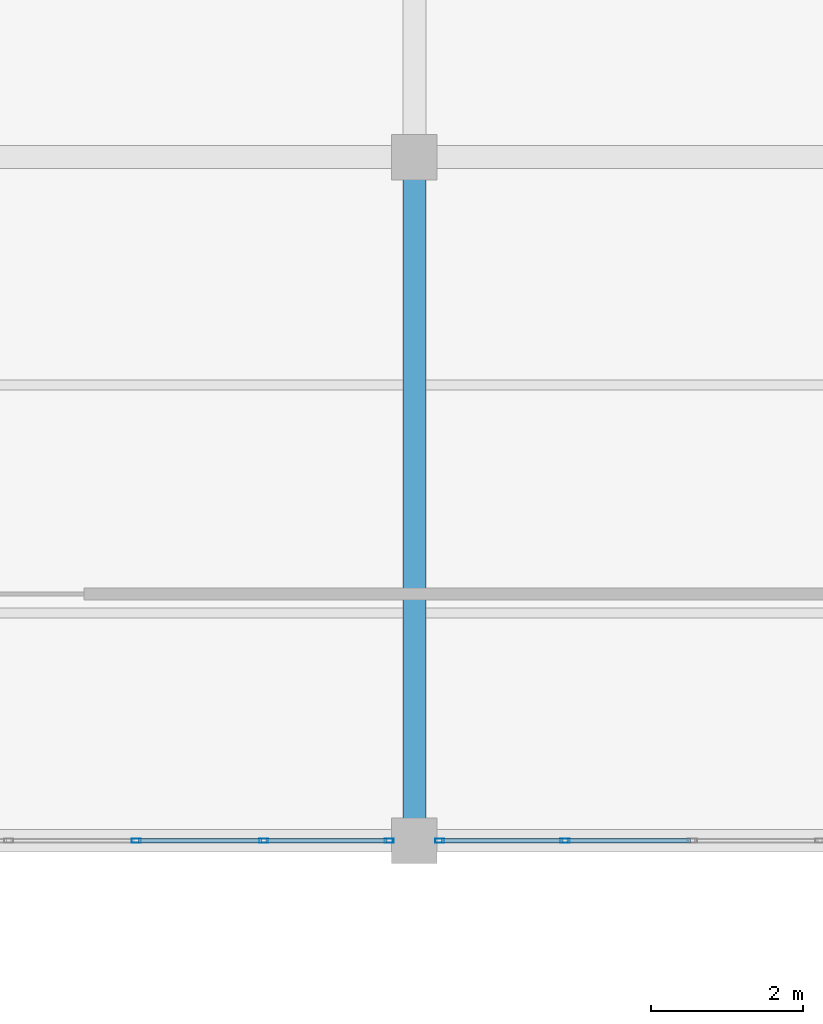
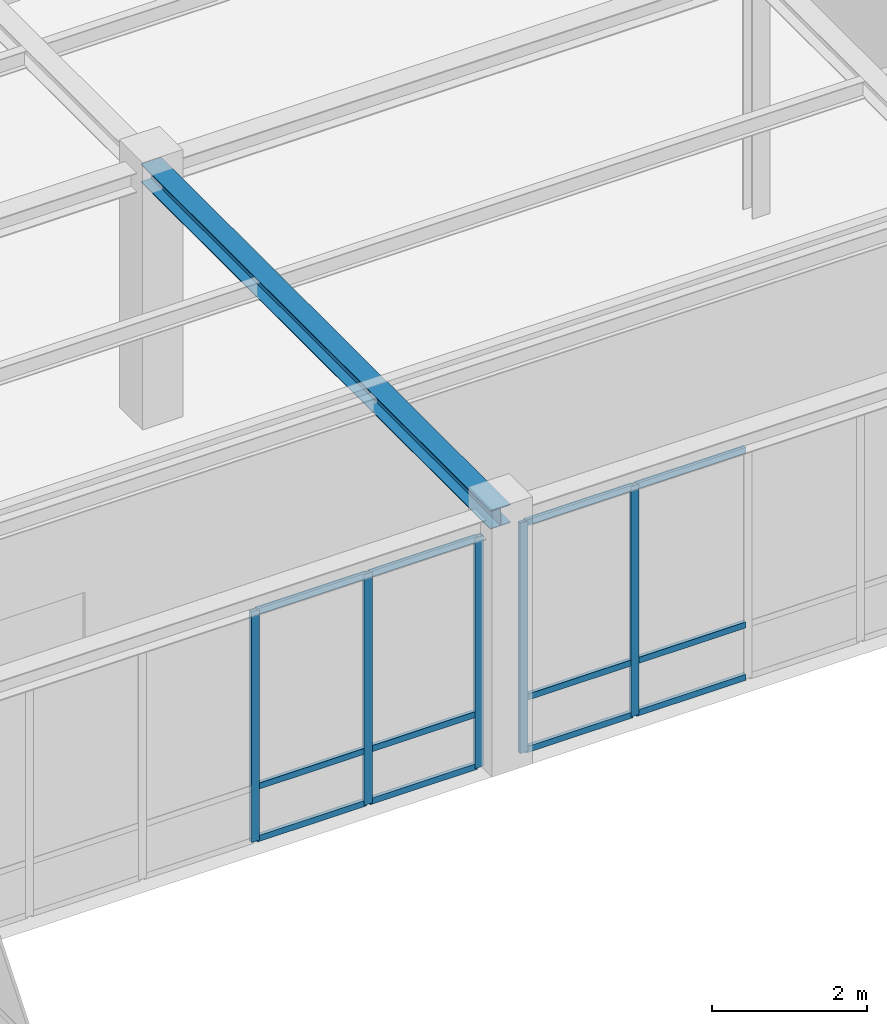
# One storey, part 92 of 130: 17 members, 1 beam, 2 elements without a shape of their own.
"""IFC4 building model written with IfcOpenShell, lengths in metres."""

from ifc_helpers import new_model, si_unit, direction, frame, origin, origin_2d, place, context, subcontext, project, spatial, hollow_rectangle, i_section, extrude, material, material_profile, profile_set, type_object, element, aggregate, save


model = new_model("IFC4")

# Units and contexts
model_context = context("Model", 3, precision=1e-05, world=origin(), true_north=direction((0.0, 1.0)))
body_context = subcontext(model_context, "Body", "Model", "MODEL_VIEW")
ifc_project = project(units=[si_unit("LENGTHUNIT", "METRE"), si_unit("AREAUNIT", "SQUARE_METRE"), si_unit("VOLUMEUNIT", "CUBIC_METRE"), si_unit("PLANEANGLEUNIT", "RADIAN"), si_unit("MASSUNIT", "GRAM", prefix="KILO")], contexts=[model_context])

# Site, building, storey
site_placement = place(None, origin())
site = spatial("IfcSite", under=ifc_project, at=site_placement, CompositionType="ELEMENT")
building_placement = place(site_placement, origin())
building = spatial("IfcBuilding", under=site, at=building_placement, Name="Lykobir Media Centre", CompositionType="ELEMENT")
storey_placement = place(building_placement, frame((0.0, 0.0, 19.199951171875)))
storey = spatial("IfcBuildingStorey", under=building, at=storey_placement, Name="L04", CompositionType="ELEMENT", Elevation=19.199951171875)

# Beam
ifc_material_1 = material(Name="Steel S355", Category="steel")
ifc_material_profile_1 = material_profile(ifc_material_1, i_section(OverallWidth=0.300048828125, OverallDepth=0.2900390625, WebThickness=0.008544921875, FlangeThickness=0.013916015625, at=origin_2d()), Name="HEA 300")
ifc_profile_set_1 = profile_set([ifc_material_profile_1], Name="Steel S355")
beam_type = type_object("IfcBeamType", Name="BM-HEA300", PredefinedType="BEAM", material=ifc_profile_set_1)
beam_placement = place(storey_placement, frame((108.0, 72.0, 3.804931640625), z_axis=(0.0, 1.0, 0.0), x_axis=(-1.0, 0.0, 0.0)))
element("IfcBeam", 1, at=beam_placement, inside=storey, type_object=beam_type, Name="Beam BM-L04-1080-0720-1080-0810-2300", PredefinedType="BEAM", context=body_context, shape_type="SweptSolid", body=[
    extrude(i_section(OverallWidth=0.300048828125, OverallDepth=0.2900390625, WebThickness=0.008544921875, FlangeThickness=0.013916015625, at=origin_2d()), origin(), (0.0, 0.0, 1.0), 9.0),
])

# Curtain wall, members
ifc_material_2 = material(Name="Anodized Aluminium AW-6060", Category="aluminium")
curtain_wall_type = type_object("IfcCurtainWallType", Name="CW-COURT-B", PredefinedType="NOTDEFINED", material=ifc_material_2)
curtain_wall_1_placement = place(storey_placement, origin())
curtain_wall_1 = element("IfcCurtainWall", 2, at=curtain_wall_1_placement, inside=storey, type_object=curtain_wall_type, Name="Curtain wall CW2-L04-0178", PredefinedType="NOTDEFINED")
ifc_material_profile_2 = material_profile(ifc_material_2, hollow_rectangle(XDim=0.054931640625, YDim=0.1201171875, WallThickness=0.003173828125, at=origin_2d()), Name="ALU MULLION 55x120")
ifc_profile_set_2 = profile_set([ifc_material_profile_2], Name="Anodized Aluminium AW-6060")
member_type_1 = type_object("IfcMemberType", Name="CWM-120", PredefinedType="MULLION", material=ifc_profile_set_2)
member_1_placement = place(storey_placement, frame((107.66748046875, 72.0, 0.0), z_axis=(0.0, 0.0, 1.0), x_axis=(0.0, -1.0, 0.0)))
member_1 = element("IfcMember", 3, at=member_1_placement, type_object=member_type_1, Name="CW2-L04-0178 mullion 1", PredefinedType="MULLION", context=body_context, shape_type="SweptSolid", body=[
    extrude(hollow_rectangle(XDim=0.054931640625, YDim=0.1201171875, WallThickness=0.003173828125, at=origin_2d()), origin(), (0.0, 0.0, 1.0), 3.625),
])
member_2_placement = place(storey_placement, frame((106.01708984375, 72.0, 0.0), z_axis=(0.0, 0.0, 1.0), x_axis=(0.0, -1.0, 0.0)))
member_2 = element("IfcMember", 4, at=member_2_placement, type_object=member_type_1, Name="CW2-L04-0178 mullion 2", PredefinedType="MULLION", context=body_context, shape_type="SweptSolid", body=[
    extrude(hollow_rectangle(XDim=0.054931640625, YDim=0.1201171875, WallThickness=0.003173828125, at=origin_2d()), origin(), (0.0, 0.0, 1.0), 3.625),
])
member_3_placement = place(storey_placement, frame((104.339111328125, 72.0, 0.0), z_axis=(0.0, 0.0, 1.0), x_axis=(0.0, -1.0, 0.0)))
member_3 = element("IfcMember", 5, at=member_3_placement, type_object=member_type_1, Name="CW2-L04-0178 mullion 3", PredefinedType="MULLION", context=body_context, shape_type="SweptSolid", body=[
    extrude(hollow_rectangle(XDim=0.054931640625, YDim=0.1201171875, WallThickness=0.003173828125, at=origin_2d()), origin(), (0.0, 0.0, 1.0), 3.625),
])

curtain_wall_2_placement = place(storey_placement, origin())
curtain_wall_2 = element("IfcCurtainWall", 6, at=curtain_wall_2_placement, inside=storey, type_object=curtain_wall_type, Name="Curtain wall CW2-L04-0179", PredefinedType="NOTDEFINED")
member_4_placement = place(storey_placement, frame((109.98291015625, 72.0, 0.0), z_axis=(0.0, 0.0, 1.0), x_axis=(0.0, -1.0, 0.0)))
member_4 = element("IfcMember", 7, at=member_4_placement, type_object=member_type_1, Name="CW2-L04-0179 mullion 5", PredefinedType="MULLION", context=body_context, shape_type="SweptSolid", body=[
    extrude(hollow_rectangle(XDim=0.054931640625, YDim=0.1201171875, WallThickness=0.003173828125, at=origin_2d()), origin(), (0.0, 0.0, 1.0), 3.623046875),
])
member_5_placement = place(storey_placement, frame((108.33251953125, 72.0, 0.0), z_axis=(0.0, 0.0, 1.0), x_axis=(0.0, -1.0, 0.0)))
member_5 = element("IfcMember", 8, at=member_5_placement, type_object=member_type_1, Name="CW2-L04-0179 mullion 6", PredefinedType="MULLION", context=body_context, shape_type="SweptSolid", body=[
    extrude(hollow_rectangle(XDim=0.054931640625, YDim=0.1201171875, WallThickness=0.003173828125, at=origin_2d()), origin(), (0.0, 0.0, 1.0), 3.623046875),
])

# Member
ifc_material_profile_3 = material_profile(ifc_material_2, hollow_rectangle(XDim=0.054931640625, YDim=0.094970703125, WallThickness=0.0029296875, at=origin_2d()), Name="ALU TRANSOM 55x95")
ifc_profile_set_3 = profile_set([ifc_material_profile_3], Name="Anodized Aluminium AW-6060")
member_type_2 = type_object("IfcMemberType", Name="CWT-095", PredefinedType="USERDEFINED", material=ifc_profile_set_3)
member_6_placement = place(storey_placement, frame((107.639892578125, 72.0, 0.027587890625), z_axis=(-1.0, 0.0, 0.0), x_axis=(0.0, -1.0, 0.0)))
member_6 = element("IfcMember", 9, at=member_6_placement, type_object=member_type_2, Name="CW2-L04-0178 transom 1.1", ObjectType="TRANSOM", PredefinedType="USERDEFINED", context=body_context, shape_type="SweptSolid", body=[
    extrude(hollow_rectangle(XDim=0.054931640625, YDim=0.094970703125, WallThickness=0.0029296875, at=origin_2d()), origin(), (0.0, 0.0, 1.0), 1.595458984375),
])

member_7_placement = place(storey_placement, frame((107.639892578125, 72.0, 0.85009765625), z_axis=(-1.0, 0.0, 0.0), x_axis=(0.0, -1.0, 0.0)))
member_7 = element("IfcMember", 10, at=member_7_placement, type_object=member_type_2, Name="CW2-L04-0178 transom 1.2", ObjectType="TRANSOM", PredefinedType="USERDEFINED", context=body_context, shape_type="SweptSolid", body=[
    extrude(hollow_rectangle(XDim=0.054931640625, YDim=0.094970703125, WallThickness=0.0029296875, at=origin_2d()), origin(), (0.0, 0.0, 1.0), 1.595458984375),
])

member_8_placement = place(storey_placement, frame((107.639892578125, 72.0, 3.59765625), z_axis=(-1.0, 0.0, 0.0), x_axis=(0.0, -1.0, 0.0)))
member_8 = element("IfcMember", 11, at=member_8_placement, type_object=member_type_2, Name="CW2-L04-0178 transom 1.3", ObjectType="TRANSOM", PredefinedType="USERDEFINED", context=body_context, shape_type="SweptSolid", body=[
    extrude(hollow_rectangle(XDim=0.054931640625, YDim=0.094970703125, WallThickness=0.0029296875, at=origin_2d()), origin(), (0.0, 0.0, 1.0), 1.595458984375),
])

member_9_placement = place(storey_placement, frame((105.989501953125, 72.0, 0.027587890625), z_axis=(-1.0, 0.0, 0.0), x_axis=(0.0, -1.0, 0.0)))
member_9 = element("IfcMember", 12, at=member_9_placement, type_object=member_type_2, Name="CW2-L04-0178 transom 2.1", ObjectType="TRANSOM", PredefinedType="USERDEFINED", context=body_context, shape_type="SweptSolid", body=[
    extrude(hollow_rectangle(XDim=0.054931640625, YDim=0.094970703125, WallThickness=0.0029296875, at=origin_2d()), origin(), (0.0, 0.0, 1.0), 1.623046875),
])

member_10_placement = place(storey_placement, frame((105.989501953125, 72.0, 0.85009765625), z_axis=(-1.0, 0.0, 0.0), x_axis=(0.0, -1.0, 0.0)))
member_10 = element("IfcMember", 13, at=member_10_placement, type_object=member_type_2, Name="CW2-L04-0178 transom 2.2", ObjectType="TRANSOM", PredefinedType="USERDEFINED", context=body_context, shape_type="SweptSolid", body=[
    extrude(hollow_rectangle(XDim=0.054931640625, YDim=0.094970703125, WallThickness=0.0029296875, at=origin_2d()), origin(), (0.0, 0.0, 1.0), 1.623046875),
])

member_11_placement = place(storey_placement, frame((105.989501953125, 72.0, 3.59765625), z_axis=(-1.0, 0.0, 0.0), x_axis=(0.0, -1.0, 0.0)))
member_11 = element("IfcMember", 14, at=member_11_placement, type_object=member_type_2, Name="CW2-L04-0178 transom 2.3", ObjectType="TRANSOM", PredefinedType="USERDEFINED", context=body_context, shape_type="SweptSolid", body=[
    extrude(hollow_rectangle(XDim=0.054931640625, YDim=0.094970703125, WallThickness=0.0029296875, at=origin_2d()), origin(), (0.0, 0.0, 1.0), 1.623046875),
])

aggregate(curtain_wall_1, [member_1, member_2, member_3, member_6, member_7, member_8, member_9, member_10, member_11])

member_12_placement = place(storey_placement, frame((111.633544921875, 72.0, 0.027587890625), z_axis=(-1.0, 0.0, 0.0), x_axis=(0.0, -1.0, 0.0)))
member_12 = element("IfcMember", 15, at=member_12_placement, type_object=member_type_2, Name="CW2-L04-0179 transom 4.1", ObjectType="TRANSOM", PredefinedType="USERDEFINED", context=body_context, shape_type="SweptSolid", body=[
    extrude(hollow_rectangle(XDim=0.054931640625, YDim=0.094970703125, WallThickness=0.0029296875, at=origin_2d()), origin(), (0.0, 0.0, 1.0), 1.623046875),
])

member_13_placement = place(storey_placement, frame((111.633544921875, 72.0, 0.85009765625), z_axis=(-1.0, 0.0, 0.0), x_axis=(0.0, -1.0, 0.0)))
member_13 = element("IfcMember", 16, at=member_13_placement, type_object=member_type_2, Name="CW2-L04-0179 transom 4.2", ObjectType="TRANSOM", PredefinedType="USERDEFINED", context=body_context, shape_type="SweptSolid", body=[
    extrude(hollow_rectangle(XDim=0.054931640625, YDim=0.094970703125, WallThickness=0.0029296875, at=origin_2d()), origin(), (0.0, 0.0, 1.0), 1.623046875),
])

member_14_placement = place(storey_placement, frame((111.633544921875, 72.0, 3.595458984375), z_axis=(-1.0, 0.0, 0.0), x_axis=(0.0, -1.0, 0.0)))
member_14 = element("IfcMember", 17, at=member_14_placement, type_object=member_type_2, Name="CW2-L04-0179 transom 4.3", ObjectType="TRANSOM", PredefinedType="USERDEFINED", context=body_context, shape_type="SweptSolid", body=[
    extrude(hollow_rectangle(XDim=0.054931640625, YDim=0.094970703125, WallThickness=0.0029296875, at=origin_2d()), origin(), (0.0, 0.0, 1.0), 1.623046875),
])

member_15_placement = place(storey_placement, frame((109.95556640625, 72.0, 0.027587890625), z_axis=(-1.0, 0.0, 0.0), x_axis=(0.0, -1.0, 0.0)))
member_15 = element("IfcMember", 18, at=member_15_placement, type_object=member_type_2, Name="CW2-L04-0179 transom 5.1", ObjectType="TRANSOM", PredefinedType="USERDEFINED", context=body_context, shape_type="SweptSolid", body=[
    extrude(hollow_rectangle(XDim=0.054931640625, YDim=0.094970703125, WallThickness=0.0029296875, at=origin_2d()), origin(), (0.0, 0.0, 1.0), 1.595458984375),
])

member_16_placement = place(storey_placement, frame((109.95556640625, 72.0, 0.85009765625), z_axis=(-1.0, 0.0, 0.0), x_axis=(0.0, -1.0, 0.0)))
member_16 = element("IfcMember", 19, at=member_16_placement, type_object=member_type_2, Name="CW2-L04-0179 transom 5.2", ObjectType="TRANSOM", PredefinedType="USERDEFINED", context=body_context, shape_type="SweptSolid", body=[
    extrude(hollow_rectangle(XDim=0.054931640625, YDim=0.094970703125, WallThickness=0.0029296875, at=origin_2d()), origin(), (0.0, 0.0, 1.0), 1.595458984375),
])

member_17_placement = place(storey_placement, frame((109.95556640625, 72.0, 3.595458984375), z_axis=(-1.0, 0.0, 0.0), x_axis=(0.0, -1.0, 0.0)))
member_17 = element("IfcMember", 20, at=member_17_placement, type_object=member_type_2, Name="CW2-L04-0179 transom 5.3", ObjectType="TRANSOM", PredefinedType="USERDEFINED", context=body_context, shape_type="SweptSolid", body=[
    extrude(hollow_rectangle(XDim=0.054931640625, YDim=0.094970703125, WallThickness=0.0029296875, at=origin_2d()), origin(), (0.0, 0.0, 1.0), 1.595458984375),
])

aggregate(curtain_wall_2, [member_4, member_5, member_12, member_13, member_14, member_15, member_16, member_17])

save(model, "model.ifc")
